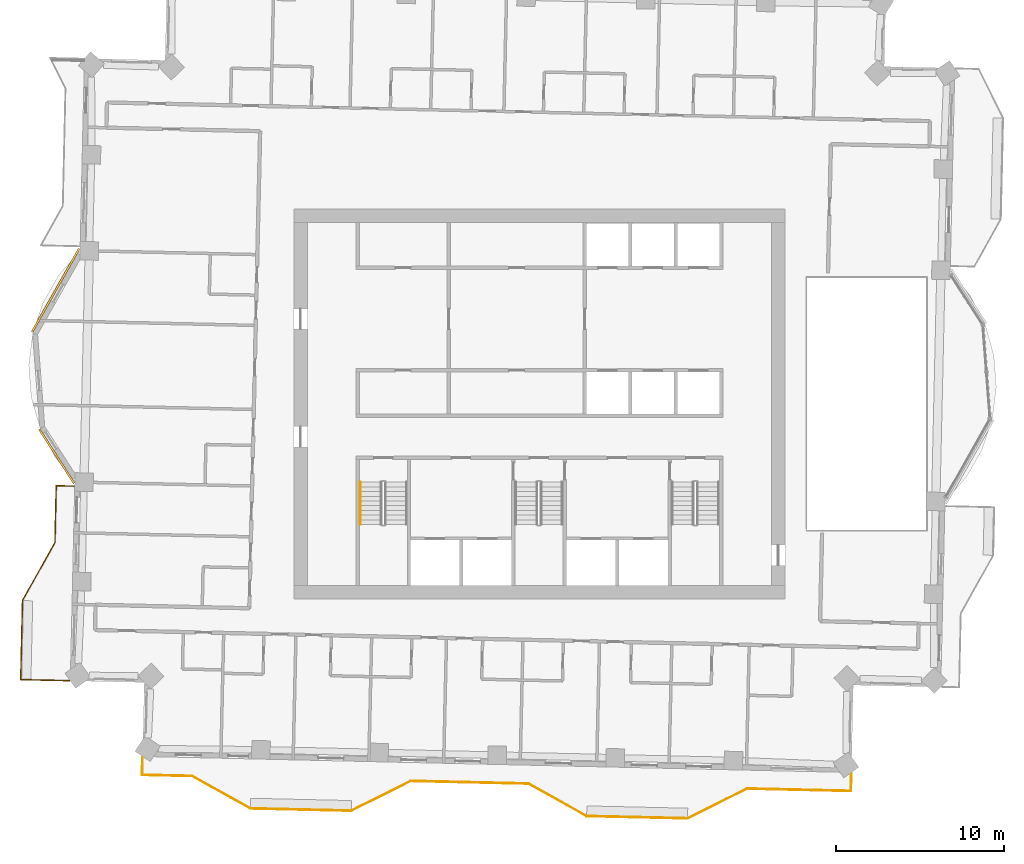
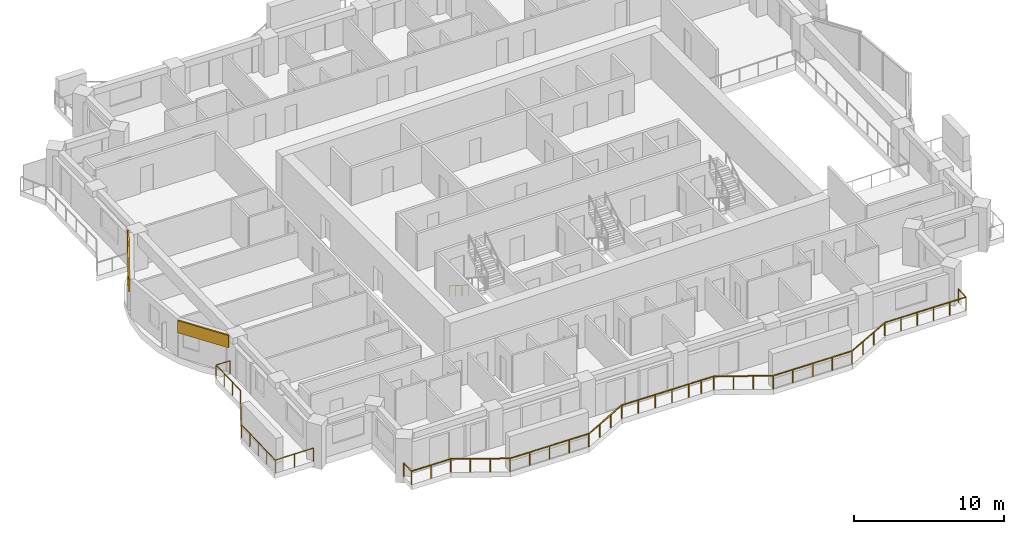
# One storey, part 11 of 14: 3 railings, 2 coverings.
"""IFC4 building model written with IfcOpenShell, lengths in metres."""

from ifc_helpers import new_model, si_unit, direction, frame, frame_2d, origin, origin_2d, place, context, subcontext, project, spatial, rectangle, circle, extrude, material, layer, layer_set, type_object, element, save


model = new_model("IFC4")

# Units and contexts
model_context = context("Model", 3, precision=1e-05, world=origin(), true_north=direction((0.0, 1.0)))
body_context = subcontext(model_context, "Body", "Model", "MODEL_VIEW")
ifc_project = project(units=[si_unit("LENGTHUNIT", "METRE"), si_unit("AREAUNIT", "SQUARE_METRE"), si_unit("VOLUMEUNIT", "CUBIC_METRE"), si_unit("PLANEANGLEUNIT", "RADIAN"), si_unit("MASSUNIT", "GRAM", prefix="KILO")], contexts=[model_context])

# Site, building, storey
site_placement = place(None, origin())
site = spatial("IfcSite", under=ifc_project, at=site_placement, CompositionType="ELEMENT")
building_placement = place(site_placement, origin())
building = spatial("IfcBuilding", under=site, at=building_placement, Name="Mangrove Gate Tower", CompositionType="ELEMENT")
storey_placement = place(building_placement, frame((0.0, 0.0, 208.699951171875)))
storey = spatial("IfcBuildingStorey", under=building, at=storey_placement, Name="L53", CompositionType="ELEMENT", Elevation=208.699951171875)

# Railings
ifc_material_1 = material(Name="Stainless steel grade 316 with laminated glass infill", Category="steel")
railing_type_1 = type_object("IfcRailingType", Name="Balcony guard 1100", PredefinedType="GUARDRAIL", material=ifc_material_1)
railing_1_placement = place(storey_placement, frame((-27.6669921875, -4.885986328125, 0.0)))
element("IfcRailing", 1, at=railing_1_placement, inside=storey, type_object=railing_type_1, Name="GUARD L53 W2", PredefinedType="GUARDRAIL", context=body_context, shape_type="SweptSolid", body=[
    extrude(rectangle(XDim=0.048095703125, YDim=0.048095703125, at=origin_2d()), frame((0.0, 0.0, 1.076171875), z_axis=(-0.999745389313, 0.022564497502, 0.0), x_axis=(-0.022564497502, -0.999745389313, 0.0)), (0.0, 0.0, 1.0), 1.060302734375),
    extrude(rectangle(XDim=0.048095703125, YDim=0.048095703125, at=origin_2d()), frame((-1.06005859375, 0.02392578125, 1.076171875), z_axis=(-0.022504432334, -0.999746743193, 0.0), x_axis=(0.999746743193, -0.022504432334, 0.0)), (0.0, 0.0, 1.0), 3.373779296875),
    extrude(rectangle(XDim=0.048095703125, YDim=0.048095703125, at=origin_2d()), frame((-1.135986328125, -3.34912109375, 1.076171875), z_axis=(-0.487155136876, -0.873315448515, 0.0), x_axis=(0.873315448515, -0.487155136876, 0.0)), (0.0, 0.0, 1.0), 3.959716796875),
    extrude(rectangle(XDim=0.048095703125, YDim=0.048095703125, at=origin_2d()), frame((-3.06494140625, -6.80712890625, 1.076171875), z_axis=(-0.022807556235, -0.999739873856, 0.0), x_axis=(0.999739873856, -0.022807556235, 0.0)), (0.0, 0.0, 1.0), 4.69921875),
    extrude(rectangle(XDim=0.048095703125, YDim=0.048095703125, at=origin_2d()), frame((-3.172119140625, -11.505126953125, 1.076171875), z_axis=(0.999743392495, -0.022652795902, 0.0), x_axis=(0.022652795902, 0.999743392495, 0.0)), (0.0, 0.0, 1.0), 2.909912109375),
    extrude(rectangle(XDim=0.0419921875, YDim=0.0419921875, at=origin_2d()), origin(), (0.0, 0.0, 1.0), 1.052001953125),
    extrude(rectangle(XDim=0.0419921875, YDim=0.0419921875, at=origin_2d()), frame((-1.06005859375, 0.02392578125, 0.0)), (0.0, 0.0, 1.0), 1.052001953125),
    extrude(rectangle(XDim=0.0419921875, YDim=0.0419921875, at=origin_2d()), frame((-1.08544921875, -1.100341796875, 0.0)), (0.0, 0.0, 1.0), 1.052001953125),
    extrude(rectangle(XDim=0.0419921875, YDim=0.0419921875, at=origin_2d()), frame((-1.110595703125, -2.224853515625, 0.0)), (0.0, 0.0, 1.0), 1.052001953125),
    extrude(rectangle(XDim=0.0419921875, YDim=0.0419921875, at=origin_2d()), frame((-1.135986328125, -3.34912109375, 0.0)), (0.0, 0.0, 1.0), 1.052001953125),
    extrude(rectangle(XDim=0.0419921875, YDim=0.0419921875, at=origin_2d()), frame((-1.779052734375, -4.501708984375, 0.0)), (0.0, 0.0, 1.0), 1.052001953125),
    extrude(rectangle(XDim=0.0419921875, YDim=0.0419921875, at=origin_2d()), frame((-2.421875, -5.654541015625, 0.0)), (0.0, 0.0, 1.0), 1.052001953125),
    extrude(rectangle(XDim=0.0419921875, YDim=0.0419921875, at=origin_2d()), frame((-3.06494140625, -6.80712890625, 0.0)), (0.0, 0.0, 1.0), 1.052001953125),
    extrude(rectangle(XDim=0.0419921875, YDim=0.0419921875, at=origin_2d()), frame((-3.091796875, -7.981689453125, 0.0)), (0.0, 0.0, 1.0), 1.052001953125),
    extrude(rectangle(XDim=0.0419921875, YDim=0.0419921875, at=origin_2d()), frame((-3.11865234375, -9.15625, 0.0)), (0.0, 0.0, 1.0), 1.052001953125),
    extrude(rectangle(XDim=0.0419921875, YDim=0.0419921875, at=origin_2d()), frame((-3.145263671875, -10.33056640625, 0.0)), (0.0, 0.0, 1.0), 1.052001953125),
    extrude(rectangle(XDim=0.0419921875, YDim=0.0419921875, at=origin_2d()), frame((-3.172119140625, -11.505126953125, 0.0)), (0.0, 0.0, 1.0), 1.052001953125),
    extrude(rectangle(XDim=0.0419921875, YDim=0.0419921875, at=origin_2d()), frame((-1.717529296875, -11.5380859375, 0.0)), (0.0, 0.0, 1.0), 1.052001953125),
    extrude(rectangle(XDim=0.0419921875, YDim=0.0419921875, at=origin_2d()), frame((-0.262939453125, -11.571044921875, 0.0)), (0.0, 0.0, 1.0), 1.052001953125),
])
railing_2_placement = place(storey_placement, frame((-23.592041015625, -20.9970703125, 0.0)))
element("IfcRailing", 2, at=railing_2_placement, inside=storey, type_object=railing_type_1, Name="GUARD L53 S1", PredefinedType="GUARDRAIL", context=body_context, shape_type="SweptSolid", body=[
    extrude(rectangle(XDim=0.048095703125, YDim=0.048095703125, at=origin_2d()), frame((0.0, 0.0, 1.076171875), z_axis=(-0.021648921828, -0.999765634628, 0.0), x_axis=(0.999765634628, -0.021648921828, 0.0)), (0.0, 0.0, 1.0), 1.06005859375),
    extrude(rectangle(XDim=0.048095703125, YDim=0.048095703125, at=origin_2d()), frame((-0.02294921875, -1.059814453125, 1.076171875), z_axis=(0.999744753787, -0.022592637628, 0.0), x_axis=(0.022592637628, 0.999744753787, 0.0)), (0.0, 0.0, 1.0), 2.9716796875),
    extrude(rectangle(XDim=0.048095703125, YDim=0.048095703125, at=origin_2d()), frame((2.947998046875, -1.126953125, 1.076171875), z_axis=(0.87325689943, -0.48726008209, 0.0), x_axis=(0.48726008209, 0.87325689943, 0.0)), (0.0, 0.0, 1.0), 3.958740234375),
    extrude(rectangle(XDim=0.048095703125, YDim=0.048095703125, at=origin_2d()), frame((6.405029296875, -3.055908203125, 1.076171875), z_axis=(0.999743094499, -0.022665943652, 0.0), x_axis=(0.022665943652, 0.999743094499, 0.0)), (0.0, 0.0, 1.0), 5.99951171875),
    extrude(rectangle(XDim=0.048095703125, YDim=0.048095703125, at=origin_2d()), frame((12.403076171875, -3.19189453125, 1.076171875), z_axis=(0.894476522376, 0.447114919141, 0.0), x_axis=(-0.447114919141, 0.894476522376, 0.0)), (0.0, 0.0, 1.0), 3.958740234375),
    extrude(rectangle(XDim=0.048095703125, YDim=0.048095703125, at=origin_2d()), frame((15.944091796875, -1.421875, 1.076171875), z_axis=(0.999741464718, -0.02273771586, 0.0), x_axis=(0.02273771586, 0.999741464718, 0.0)), (0.0, 0.0, 1.0), 5.10009765625),
    extrude(rectangle(XDim=0.048095703125, YDim=0.048095703125, at=origin_2d()), frame((21.04296875, -1.537841796875, 1.076171875), z_axis=(0.999744415357, -0.022607608519, 0.0), x_axis=(0.022607608519, 0.999744415357, 0.0)), (0.0, 0.0, 1.0), 1.900634765625),
    extrude(rectangle(XDim=0.048095703125, YDim=0.048095703125, at=origin_2d()), frame((22.943115234375, -1.580810546875, 1.076171875), z_axis=(0.873230657876, -0.487307108654, 0.0), x_axis=(0.487307108654, 0.873230657876, 0.0)), (0.0, 0.0, 1.0), 3.958984375),
    extrude(rectangle(XDim=0.048095703125, YDim=0.048095703125, at=origin_2d()), frame((26.400146484375, -3.510009765625, 1.076171875), z_axis=(0.999743073592, -0.022666865795, 0.0), x_axis=(0.022666865795, 0.999743073592, 0.0)), (0.0, 0.0, 1.0), 5.999267578125),
    extrude(rectangle(XDim=0.048095703125, YDim=0.048095703125, at=origin_2d()), frame((32.39794921875, -3.64599609375, 1.076171875), z_axis=(0.894476522376, 0.447114919141, 0.0), x_axis=(-0.447114919141, 0.894476522376, 0.0)), (0.0, 0.0, 1.0), 3.958740234375),
    extrude(rectangle(XDim=0.048095703125, YDim=0.048095703125, at=origin_2d()), frame((35.93896484375, -1.8759765625, 1.076171875), z_axis=(0.999743161071, -0.022663007133, 0.0), x_axis=(0.022663007133, 0.999743161071, 0.0)), (0.0, 0.0, 1.0), 6.172607421875),
    extrude(rectangle(XDim=0.048095703125, YDim=0.048095703125, at=origin_2d()), frame((42.110107421875, -2.015869140625, 1.076171875), z_axis=(0.022564497502, 0.999745389313, 0.0), x_axis=(-0.999745389313, 0.022564497502, 0.0)), (0.0, 0.0, 1.0), 1.060302734375),
    extrude(rectangle(XDim=0.0419921875, YDim=0.0419921875, at=origin_2d()), origin(), (0.0, 0.0, 1.0), 1.052001953125),
    extrude(rectangle(XDim=0.0419921875, YDim=0.0419921875, at=origin_2d()), frame((-0.02294921875, -1.059814453125, 0.0)), (0.0, 0.0, 1.0), 1.052001953125),
    extrude(rectangle(XDim=0.0419921875, YDim=0.0419921875, at=origin_2d()), frame((1.46240234375, -1.09326171875, 0.0)), (0.0, 0.0, 1.0), 1.052001953125),
    extrude(rectangle(XDim=0.0419921875, YDim=0.0419921875, at=origin_2d()), frame((2.947998046875, -1.126953125, 0.0)), (0.0, 0.0, 1.0), 1.052001953125),
    extrude(rectangle(XDim=0.0419921875, YDim=0.0419921875, at=origin_2d()), frame((4.100341796875, -1.77001953125, 0.0)), (0.0, 0.0, 1.0), 1.052001953125),
    extrude(rectangle(XDim=0.0419921875, YDim=0.0419921875, at=origin_2d()), frame((5.252685546875, -2.412841796875, 0.0)), (0.0, 0.0, 1.0), 1.052001953125),
    extrude(rectangle(XDim=0.0419921875, YDim=0.0419921875, at=origin_2d()), frame((6.405029296875, -3.055908203125, 0.0)), (0.0, 0.0, 1.0), 1.052001953125),
    extrude(rectangle(XDim=0.0419921875, YDim=0.0419921875, at=origin_2d()), frame((7.904541015625, -3.08984375, 0.0)), (0.0, 0.0, 1.0), 1.052001953125),
    extrude(rectangle(XDim=0.0419921875, YDim=0.0419921875, at=origin_2d()), frame((9.404052734375, -3.1240234375, 0.0)), (0.0, 0.0, 1.0), 1.052001953125),
    extrude(rectangle(XDim=0.0419921875, YDim=0.0419921875, at=origin_2d()), frame((10.903564453125, -3.157958984375, 0.0)), (0.0, 0.0, 1.0), 1.052001953125),
    extrude(rectangle(XDim=0.0419921875, YDim=0.0419921875, at=origin_2d()), frame((12.403076171875, -3.19189453125, 0.0)), (0.0, 0.0, 1.0), 1.052001953125),
    extrude(rectangle(XDim=0.0419921875, YDim=0.0419921875, at=origin_2d()), frame((13.58349609375, -2.601806640625, 0.0)), (0.0, 0.0, 1.0), 1.052001953125),
    extrude(rectangle(XDim=0.0419921875, YDim=0.0419921875, at=origin_2d()), frame((14.763671875, -2.011962890625, 0.0)), (0.0, 0.0, 1.0), 1.052001953125),
    extrude(rectangle(XDim=0.0419921875, YDim=0.0419921875, at=origin_2d()), frame((15.944091796875, -1.421875, 0.0)), (0.0, 0.0, 1.0), 1.052001953125),
    extrude(rectangle(XDim=0.0419921875, YDim=0.0419921875, at=origin_2d()), frame((17.21875, -1.450927734375, 0.0)), (0.0, 0.0, 1.0), 1.052001953125),
    extrude(rectangle(XDim=0.0419921875, YDim=0.0419921875, at=origin_2d()), frame((18.49365234375, -1.47998046875, 0.0)), (0.0, 0.0, 1.0), 1.052001953125),
    extrude(rectangle(XDim=0.0419921875, YDim=0.0419921875, at=origin_2d()), frame((19.768310546875, -1.5087890625, 0.0)), (0.0, 0.0, 1.0), 1.052001953125),
    extrude(rectangle(XDim=0.0419921875, YDim=0.0419921875, at=origin_2d()), frame((21.04296875, -1.537841796875, 0.0)), (0.0, 0.0, 1.0), 1.052001953125),
    extrude(rectangle(XDim=0.0419921875, YDim=0.0419921875, at=origin_2d()), frame((21.9931640625, -1.559326171875, 0.0)), (0.0, 0.0, 1.0), 1.052001953125),
    extrude(rectangle(XDim=0.0419921875, YDim=0.0419921875, at=origin_2d()), frame((22.943115234375, -1.580810546875, 0.0)), (0.0, 0.0, 1.0), 1.052001953125),
    extrude(rectangle(XDim=0.0419921875, YDim=0.0419921875, at=origin_2d()), frame((24.095458984375, -2.223876953125, 0.0)), (0.0, 0.0, 1.0), 1.052001953125),
    extrude(rectangle(XDim=0.0419921875, YDim=0.0419921875, at=origin_2d()), frame((25.247802734375, -2.866943359375, 0.0)), (0.0, 0.0, 1.0), 1.052001953125),
    extrude(rectangle(XDim=0.0419921875, YDim=0.0419921875, at=origin_2d()), frame((26.400146484375, -3.510009765625, 0.0)), (0.0, 0.0, 1.0), 1.052001953125),
    extrude(rectangle(XDim=0.0419921875, YDim=0.0419921875, at=origin_2d()), frame((27.899658203125, -3.5439453125, 0.0)), (0.0, 0.0, 1.0), 1.052001953125),
    extrude(rectangle(XDim=0.0419921875, YDim=0.0419921875, at=origin_2d()), frame((29.39892578125, -3.578125, 0.0)), (0.0, 0.0, 1.0), 1.052001953125),
    extrude(rectangle(XDim=0.0419921875, YDim=0.0419921875, at=origin_2d()), frame((30.8984375, -3.612060546875, 0.0)), (0.0, 0.0, 1.0), 1.052001953125),
    extrude(rectangle(XDim=0.0419921875, YDim=0.0419921875, at=origin_2d()), frame((32.39794921875, -3.64599609375, 0.0)), (0.0, 0.0, 1.0), 1.052001953125),
    extrude(rectangle(XDim=0.0419921875, YDim=0.0419921875, at=origin_2d()), frame((33.578369140625, -3.055908203125, 0.0)), (0.0, 0.0, 1.0), 1.052001953125),
    extrude(rectangle(XDim=0.0419921875, YDim=0.0419921875, at=origin_2d()), frame((34.758544921875, -2.466064453125, 0.0)), (0.0, 0.0, 1.0), 1.052001953125),
    extrude(rectangle(XDim=0.0419921875, YDim=0.0419921875, at=origin_2d()), frame((35.93896484375, -1.8759765625, 0.0)), (0.0, 0.0, 1.0), 1.052001953125),
    extrude(rectangle(XDim=0.0419921875, YDim=0.0419921875, at=origin_2d()), frame((37.173095703125, -1.904052734375, 0.0)), (0.0, 0.0, 1.0), 1.052001953125),
    extrude(rectangle(XDim=0.0419921875, YDim=0.0419921875, at=origin_2d()), frame((38.407470703125, -1.931884765625, 0.0)), (0.0, 0.0, 1.0), 1.052001953125),
    extrude(rectangle(XDim=0.0419921875, YDim=0.0419921875, at=origin_2d()), frame((39.6416015625, -1.9599609375, 0.0)), (0.0, 0.0, 1.0), 1.052001953125),
    extrude(rectangle(XDim=0.0419921875, YDim=0.0419921875, at=origin_2d()), frame((40.8759765625, -1.98779296875, 0.0)), (0.0, 0.0, 1.0), 1.052001953125),
    extrude(rectangle(XDim=0.0419921875, YDim=0.0419921875, at=origin_2d()), frame((42.110107421875, -2.015869140625, 0.0)), (0.0, 0.0, 1.0), 1.052001953125),
    extrude(rectangle(XDim=0.0419921875, YDim=0.0419921875, at=origin_2d()), frame((42.134033203125, -0.955810546875, 0.0)), (0.0, 0.0, 1.0), 1.052001953125),
])
ifc_material_2 = material(Name="Stainless steel 316", Category="steel")
railing_type_2 = type_object("IfcRailingType", Name="Core stair handrail 900", PredefinedType="HANDRAIL", material=ifc_material_2)
railing_3_placement = place(storey_placement, frame((-10.64990234375, -4.64990234375, 0.179931640625)))
element("IfcRailing", 3, at=railing_3_placement, inside=storey, type_object=railing_type_2, Name="L53 ST1 stair handrail 1", PredefinedType="HANDRAIL", context=body_context, shape_type="SweptSolid", body=[
    extrude(circle(Radius=0.02392578125, at=origin_2d()), frame((0.0, 0.0, 0.8759765625), z_axis=(0.0, -0.841162588446, 0.540782303519), x_axis=(1.0, 0.0, 0.0)), (0.0, 0.0, 1.0), 2.995849609375),
    extrude(circle(Radius=0.02099609375, at=origin_2d()), origin(), (0.0, 0.0, 1.0), 0.851806640625),
    extrude(circle(Radius=0.02099609375, at=origin_2d()), frame((0.0, -0.840087890625, 0.5400390625)), (0.0, 0.0, 1.0), 0.851806640625),
    extrude(circle(Radius=0.02099609375, at=origin_2d()), frame((0.0, -1.679931640625, 1.080078125)), (0.0, 0.0, 1.0), 0.851806640625),
    extrude(circle(Radius=0.02099609375, at=origin_2d()), frame((0.0, -2.52001953125, 1.6201171875)), (0.0, 0.0, 1.0), 0.851806640625),
])

# Coverings
ifc_material_3 = material(Name="Limestone", Category="masonry")
ifc_layer_1 = layer(ifc_material_3, 0.0400390625, Name="Limestone cladding")
ifc_material_4 = material(Name="Stainless steel anchors and cavity", Category="steel")
ifc_layer_2 = layer(ifc_material_4, 0.080078125, Name="Fixing cavity")
ifc_layer_set = layer_set([ifc_layer_1, ifc_layer_2], Name="Joint fascia cladding 120")
covering_type = type_object("IfcCoveringType", Name="Joint fascia cladding 120", PredefinedType="CLADDING", material=ifc_layer_set)
covering_1_placement = place(storey_placement, frame((-27.35693359375, 9.236572265625, 2.050048828125), z_axis=(0.0, 0.0, 1.0), x_axis=(-0.492512614445, -0.870305305403, 0.0)))
element("IfcCovering", 4, at=covering_1_placement, inside=storey, type_object=covering_type, Name="STONE FASCIA L53 W9.L1", PredefinedType="CLADDING", context=body_context, shape_type="SweptSolid", body=[
    extrude(rectangle(XDim=5.70556640625, YDim=0.1201171875, at=frame_2d((2.852783203125, 0.0))), origin(), (0.0, 0.0, 1.0), 1.0),
])
covering_2_placement = place(storey_placement, frame((-29.73095703125, -1.501953125, 2.050048828125), z_axis=(0.0, 0.0, 1.0), x_axis=(0.540340805768, -0.841446263063, 0.0)))
element("IfcCovering", 5, at=covering_2_placement, inside=storey, type_object=covering_type, Name="STONE FASCIA L53 W9.L2", PredefinedType="CLADDING", context=body_context, shape_type="SweptSolid", body=[
    extrude(rectangle(XDim=3.81982421875, YDim=0.1201171875, at=frame_2d((1.909912109375, 0.0))), origin(), (0.0, 0.0, 1.0), 1.0),
])

save(model, "model.ifc")
